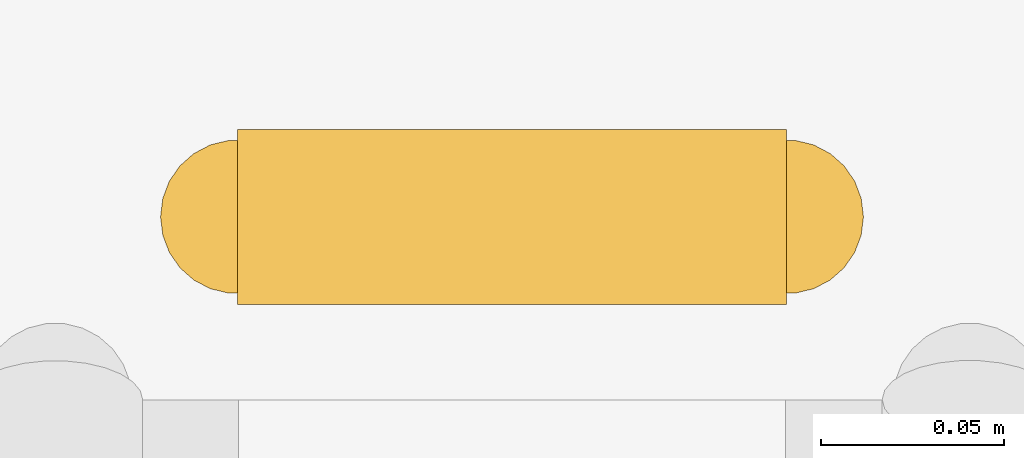
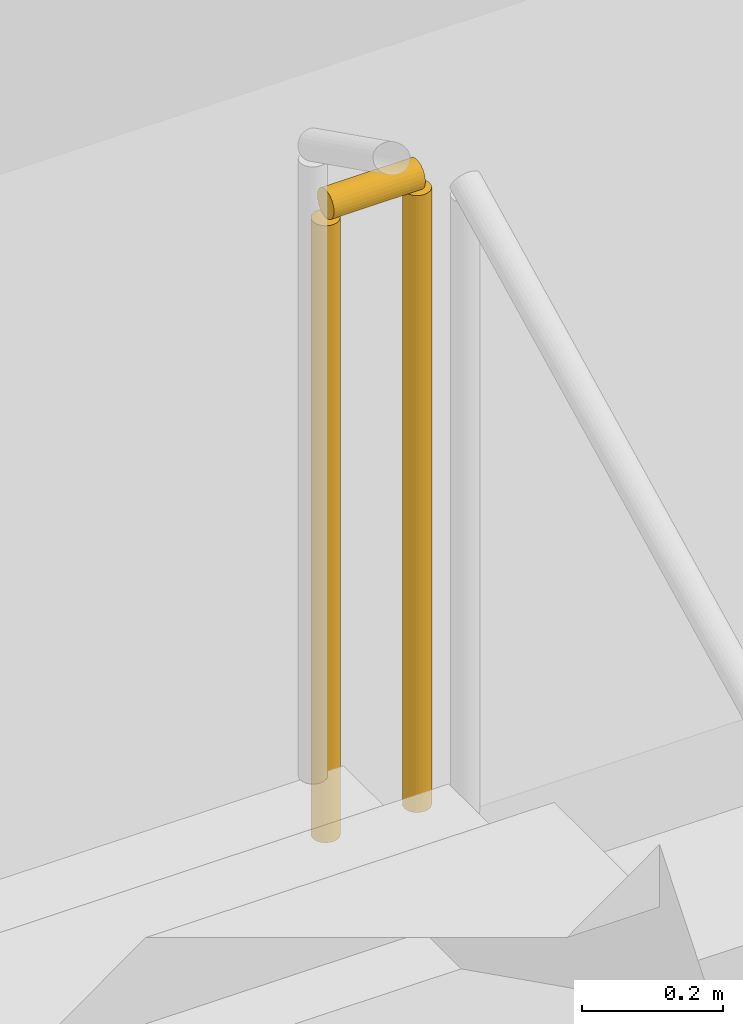
# One storey, part 41 of 44: 1 railing.
"""IFC4 building model written with IfcOpenShell, lengths in metres."""

from ifc_helpers import new_model, si_unit, direction, frame, origin, origin_2d, place, context, subcontext, project, spatial, circle, extrude, material, layer, layer_set, type_object, element, save


model = new_model("IFC4")

# Units and contexts
model_context = context("Model", 3, precision=1e-05, world=origin(), true_north=direction((0.0, 1.0)))
body_context = subcontext(model_context, "Body", "Model", "MODEL_VIEW")
ifc_project = project(units=[si_unit("LENGTHUNIT", "METRE"), si_unit("AREAUNIT", "SQUARE_METRE"), si_unit("VOLUMEUNIT", "CUBIC_METRE"), si_unit("PLANEANGLEUNIT", "RADIAN"), si_unit("MASSUNIT", "GRAM", prefix="KILO")], contexts=[model_context])

# Site, building, storey
site_placement = place(None, origin())
site = spatial("IfcSite", under=ifc_project, at=site_placement, CompositionType="ELEMENT")
building_placement = place(site_placement, origin())
building = spatial("IfcBuilding", under=site, at=building_placement, Name="Yukiwa Park Conservatory and Herbarium", CompositionType="ELEMENT")
storey_placement = place(building_placement, frame((0.0, 0.0, -4.800048828125)))
storey = spatial("IfcBuildingStorey", under=building, at=storey_placement, Name="B1", CompositionType="ELEMENT", Elevation=-4.800048828125)

# Railing
ifc_material = material(Name="Steel Q235B", Category="steel")
ifc_layer = layer(ifc_material, 0.050048828125)
ifc_layer_set = layer_set([ifc_layer], Name="Steel Q235B")
railing_type = type_object("IfcRailingType", Name="RL-STAIR-GUARD-1120", PredefinedType="BALUSTRADE", material=ifc_layer_set)
railing_placement = place(storey_placement, frame((103.050048828125, 61.699951171875, 2.400146484375)))
element("IfcRailing", 1, at=railing_placement, inside=storey, type_object=railing_type, Name="B1 ST-V2 stair guard 2", PredefinedType="BALUSTRADE", context=body_context, shape_type="SweptSolid", body=[
    extrude(circle(Radius=0.02392578125, at=origin_2d()), frame((0.0, 0.0, 1.09619140625), z_axis=(-1.0, 0.0, 0.0), x_axis=(0.0, -1.0, 0.0)), (0.0, 0.0, 1.0), 0.150146484375),
    extrude(circle(Radius=0.02099609375, at=origin_2d()), origin(), (0.0, 0.0, 1.0), 1.072021484375),
    extrude(circle(Radius=0.02099609375, at=origin_2d()), frame((-0.150146484375, 0.0, 0.0)), (0.0, 0.0, 1.0), 1.072021484375),
])

save(model, "model.ifc")
